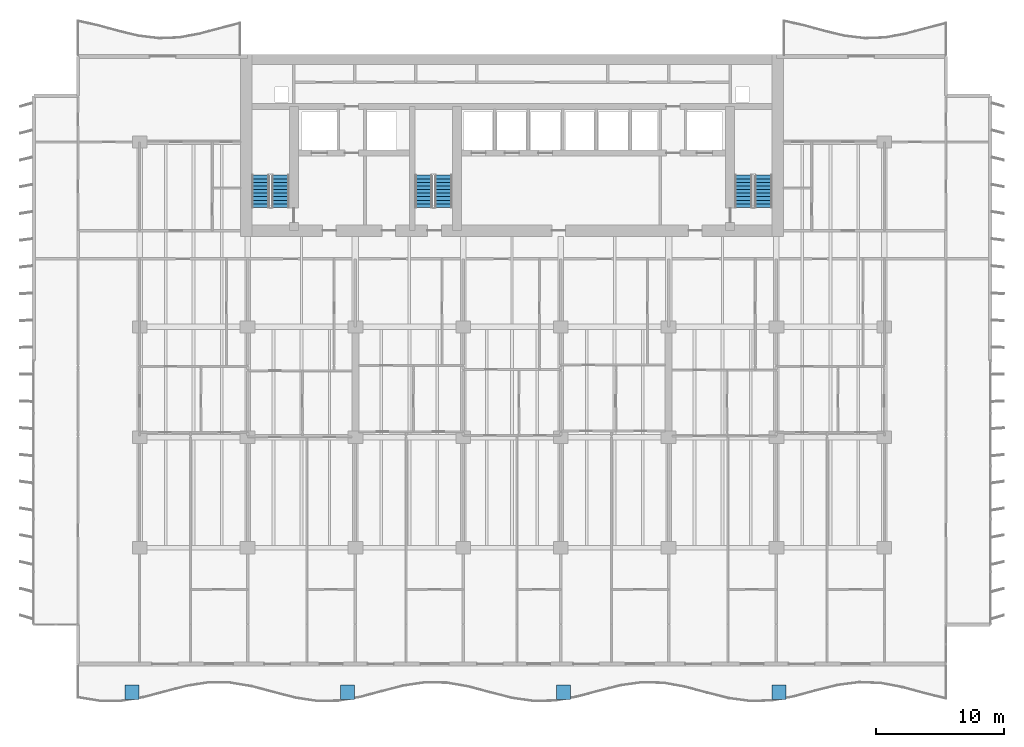
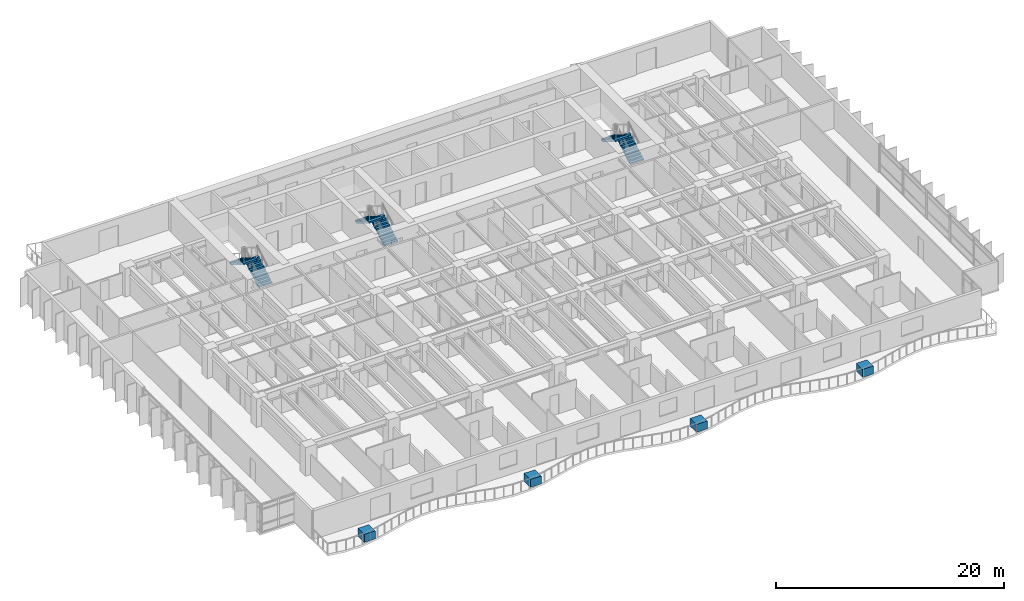
# One storey, part 15 of 19: 6 stair flights, 4 discrete accessories, 3 elements without a shape of their own.
"""IFC4 building model written with IfcOpenShell, lengths in metres."""

from ifc_helpers import new_model, si_unit, direction, frame, origin, origin_2d, place, context, subcontext, project, spatial, polyline, rectangle, outline, extrude, material, type_object, element, aggregate, save


model = new_model("IFC4")

# Units and contexts
model_context = context("Model", 3, precision=1e-05, world=origin(), true_north=direction((0.0, 1.0)))
body_context = subcontext(model_context, "Body", "Model", "MODEL_VIEW")
ifc_project = project(units=[si_unit("LENGTHUNIT", "METRE"), si_unit("AREAUNIT", "SQUARE_METRE"), si_unit("VOLUMEUNIT", "CUBIC_METRE"), si_unit("PLANEANGLEUNIT", "RADIAN"), si_unit("MASSUNIT", "GRAM", prefix="KILO")], contexts=[model_context])

# Site, building, storey
site_placement = place(None, origin())
site = spatial("IfcSite", under=ifc_project, at=site_placement, CompositionType="ELEMENT")
building_placement = place(site_placement, origin())
building = spatial("IfcBuilding", under=site, at=building_placement, Name="Caelmar Bay Residences", CompositionType="ELEMENT")
storey_placement = place(building_placement, frame((0.0, 0.0, 66.300048828125)))
storey = spatial("IfcBuildingStorey", under=building, at=storey_placement, Name="L17", CompositionType="ELEMENT", Elevation=66.300048828125)

# Stair, stair flights
ifc_material_1 = material(Name="Concrete f'c 40 MPa (6,000 psi)", Category="concrete")
stair_type = type_object("IfcStairType", Name="ST-TYP-165", PredefinedType="HALF_TURN_STAIR", material=ifc_material_1)
stair_1_placement = place(storey_placement, origin())
stair_1 = element("IfcStair", 1, at=stair_1_placement, inside=storey, type_object=stair_type, Name="L17 West Smokeproof Exit Stair ST1", PredefinedType="HALF_TURN_STAIR")
stair_flight_type = type_object("IfcStairFlightType", Name="STF-1350", PredefinedType="STRAIGHT", material=ifc_material_1)
stair_flight_1_placement = place(storey_placement, frame((20.875, 38.699951171875, 0.0), z_axis=(0.0, 0.0, 1.0), x_axis=(0.0, 1.0, 0.0)))
stair_flight_1 = element("IfcStairFlight", 2, at=stair_flight_1_placement, type_object=stair_flight_type, Name="ST1 flight 1", NumberOfRisers=10, NumberOfTreads=9, PredefinedType="STRAIGHT", RiserHeight=0.165, TreadLength=0.28, context=body_context, shape_type="SweptSolid", body=[
    extrude(outline(polyline([(0.0, 0.0), (0.0, 0.1650390625), (0.280029296875, 0.1650390625), (0.280029296875, 0.330078125), (0.56005859375, 0.330078125), (0.56005859375, 0.4951171875), (0.840087890625, 0.4951171875), (0.840087890625, 0.659912109375), (1.1201171875, 0.659912109375), (1.1201171875, 0.824951171875), (1.39990234375, 0.824951171875), (1.39990234375, 0.989990234375), (1.679931640625, 0.989990234375), (1.679931640625, 1.155029296875), (1.9599609375, 1.155029296875), (1.9599609375, 1.320068359375), (2.239990234375, 1.320068359375), (2.239990234375, 1.485107421875), (2.52001953125, 1.485107421875), (2.52001953125, 1.64990234375), (2.52001953125, 1.31103515625), (0.295166015625, 0.0), (0.0, 0.0)])), frame((0.0, 0.675048828125, 0.0), z_axis=(0.0, -1.0, 0.0), x_axis=(1.0, 0.0, 0.0)), (0.0, 0.0, 1.0), 1.35009765625),
])
stair_flight_2_placement = place(storey_placement, frame((19.324951171875, 41.219970703125, 1.64990234375), z_axis=(0.0, 0.0, 1.0), x_axis=(0.0, -1.0, 0.0)))
stair_flight_2 = element("IfcStairFlight", 3, at=stair_flight_2_placement, type_object=stair_flight_type, Name="ST1 flight 2", NumberOfRisers=10, NumberOfTreads=9, PredefinedType="STRAIGHT", RiserHeight=0.165, TreadLength=0.28, context=body_context, shape_type="SweptSolid", body=[
    extrude(outline(polyline([(0.0, 0.0), (0.0, 0.1650390625), (0.280029296875, 0.1650390625), (0.280029296875, 0.330078125), (0.56005859375, 0.330078125), (0.56005859375, 0.4951171875), (0.840087890625, 0.4951171875), (0.840087890625, 0.659912109375), (1.1201171875, 0.659912109375), (1.1201171875, 0.824951171875), (1.39990234375, 0.824951171875), (1.39990234375, 0.989990234375), (1.679931640625, 0.989990234375), (1.679931640625, 1.155029296875), (1.9599609375, 1.155029296875), (1.9599609375, 1.320068359375), (2.239990234375, 1.320068359375), (2.239990234375, 1.485107421875), (2.52001953125, 1.485107421875), (2.52001953125, 1.64990234375), (2.52001953125, 1.31103515625), (0.295166015625, 0.0), (0.0, 0.0)])), frame((0.0, 0.675048828125, 0.0), z_axis=(0.0, -1.0, 0.0), x_axis=(1.0, 0.0, 0.0)), (0.0, 0.0, 1.0), 1.35009765625),
])
aggregate(stair_1, [stair_flight_1, stair_flight_2])

stair_2_placement = place(storey_placement, origin())
stair_2 = element("IfcStair", 4, at=stair_2_placement, inside=storey, type_object=stair_type, Name="L17 East Smokeproof Exit Stair ST2", PredefinedType="HALF_TURN_STAIR")
stair_flight_3_placement = place(storey_placement, frame((58.47509765625, 38.699951171875, 0.0), z_axis=(0.0, 0.0, 1.0), x_axis=(0.0, 1.0, 0.0)))
stair_flight_3 = element("IfcStairFlight", 5, at=stair_flight_3_placement, type_object=stair_flight_type, Name="ST2 flight 1", NumberOfRisers=10, NumberOfTreads=9, PredefinedType="STRAIGHT", RiserHeight=0.165, TreadLength=0.28, context=body_context, shape_type="SweptSolid", body=[
    extrude(outline(polyline([(0.0, 0.0), (0.0, 0.1650390625), (0.280029296875, 0.1650390625), (0.280029296875, 0.330078125), (0.56005859375, 0.330078125), (0.56005859375, 0.4951171875), (0.840087890625, 0.4951171875), (0.840087890625, 0.659912109375), (1.1201171875, 0.659912109375), (1.1201171875, 0.824951171875), (1.39990234375, 0.824951171875), (1.39990234375, 0.989990234375), (1.679931640625, 0.989990234375), (1.679931640625, 1.155029296875), (1.9599609375, 1.155029296875), (1.9599609375, 1.320068359375), (2.239990234375, 1.320068359375), (2.239990234375, 1.485107421875), (2.52001953125, 1.485107421875), (2.52001953125, 1.64990234375), (2.52001953125, 1.31103515625), (0.295166015625, 0.0), (0.0, 0.0)])), frame((0.0, 0.675048828125, 0.0), z_axis=(0.0, -1.0, 0.0), x_axis=(1.0, 0.0, 0.0)), (0.0, 0.0, 1.0), 1.35009765625),
])
stair_flight_4_placement = place(storey_placement, frame((56.925048828125, 41.219970703125, 1.64990234375), z_axis=(0.0, 0.0, 1.0), x_axis=(0.0, -1.0, 0.0)))
stair_flight_4 = element("IfcStairFlight", 6, at=stair_flight_4_placement, type_object=stair_flight_type, Name="ST2 flight 2", NumberOfRisers=10, NumberOfTreads=9, PredefinedType="STRAIGHT", RiserHeight=0.165, TreadLength=0.28, context=body_context, shape_type="SweptSolid", body=[
    extrude(outline(polyline([(0.0, 0.0), (0.0, 0.1650390625), (0.280029296875, 0.1650390625), (0.280029296875, 0.330078125), (0.56005859375, 0.330078125), (0.56005859375, 0.4951171875), (0.840087890625, 0.4951171875), (0.840087890625, 0.659912109375), (1.1201171875, 0.659912109375), (1.1201171875, 0.824951171875), (1.39990234375, 0.824951171875), (1.39990234375, 0.989990234375), (1.679931640625, 0.989990234375), (1.679931640625, 1.155029296875), (1.9599609375, 1.155029296875), (1.9599609375, 1.320068359375), (2.239990234375, 1.320068359375), (2.239990234375, 1.485107421875), (2.52001953125, 1.485107421875), (2.52001953125, 1.64990234375), (2.52001953125, 1.31103515625), (0.295166015625, 0.0), (0.0, 0.0)])), frame((0.0, 0.675048828125, 0.0), z_axis=(0.0, -1.0, 0.0), x_axis=(1.0, 0.0, 0.0)), (0.0, 0.0, 1.0), 1.35009765625),
])
aggregate(stair_2, [stair_flight_3, stair_flight_4])

stair_3_placement = place(storey_placement, origin())
stair_3 = element("IfcStair", 7, at=stair_3_placement, inside=storey, type_object=stair_type, Name="L17 Central Smokeproof Exit Stair ST3", PredefinedType="HALF_TURN_STAIR")
stair_flight_5_placement = place(storey_placement, frame((33.574951171875, 38.699951171875, 0.0), z_axis=(0.0, 0.0, 1.0), x_axis=(0.0, 1.0, 0.0)))
stair_flight_5 = element("IfcStairFlight", 8, at=stair_flight_5_placement, type_object=stair_flight_type, Name="ST3 flight 1", NumberOfRisers=10, NumberOfTreads=9, PredefinedType="STRAIGHT", RiserHeight=0.165, TreadLength=0.28, context=body_context, shape_type="SweptSolid", body=[
    extrude(outline(polyline([(0.0, 0.0), (0.0, 0.1650390625), (0.280029296875, 0.1650390625), (0.280029296875, 0.330078125), (0.56005859375, 0.330078125), (0.56005859375, 0.4951171875), (0.840087890625, 0.4951171875), (0.840087890625, 0.659912109375), (1.1201171875, 0.659912109375), (1.1201171875, 0.824951171875), (1.39990234375, 0.824951171875), (1.39990234375, 0.989990234375), (1.679931640625, 0.989990234375), (1.679931640625, 1.155029296875), (1.9599609375, 1.155029296875), (1.9599609375, 1.320068359375), (2.239990234375, 1.320068359375), (2.239990234375, 1.485107421875), (2.52001953125, 1.485107421875), (2.52001953125, 1.64990234375), (2.52001953125, 1.31103515625), (0.295166015625, 0.0), (0.0, 0.0)])), frame((0.0, 0.675048828125, 0.0), z_axis=(0.0, -1.0, 0.0), x_axis=(1.0, 0.0, 0.0)), (0.0, 0.0, 1.0), 1.35009765625),
])
stair_flight_6_placement = place(storey_placement, frame((32.02490234375, 41.219970703125, 1.64990234375), z_axis=(0.0, 0.0, 1.0), x_axis=(0.0, -1.0, 0.0)))
stair_flight_6 = element("IfcStairFlight", 9, at=stair_flight_6_placement, type_object=stair_flight_type, Name="ST3 flight 2", NumberOfRisers=10, NumberOfTreads=9, PredefinedType="STRAIGHT", RiserHeight=0.165, TreadLength=0.28, context=body_context, shape_type="SweptSolid", body=[
    extrude(outline(polyline([(0.0, 0.0), (0.0, 0.1650390625), (0.280029296875, 0.1650390625), (0.280029296875, 0.330078125), (0.56005859375, 0.330078125), (0.56005859375, 0.4951171875), (0.840087890625, 0.4951171875), (0.840087890625, 0.659912109375), (1.1201171875, 0.659912109375), (1.1201171875, 0.824951171875), (1.39990234375, 0.824951171875), (1.39990234375, 0.989990234375), (1.679931640625, 0.989990234375), (1.679931640625, 1.155029296875), (1.9599609375, 1.155029296875), (1.9599609375, 1.320068359375), (2.239990234375, 1.320068359375), (2.239990234375, 1.485107421875), (2.52001953125, 1.485107421875), (2.52001953125, 1.64990234375), (2.52001953125, 1.31103515625), (0.295166015625, 0.0), (0.0, 0.0)])), frame((0.0, 0.675048828125, 0.0), z_axis=(0.0, -1.0, 0.0), x_axis=(1.0, 0.0, 0.0)), (0.0, 0.0, 1.0), 1.35009765625),
])
aggregate(stair_3, [stair_flight_5, stair_flight_6])

# Discrete accessories
ifc_material_2 = material(Name="Architectural bronze GRC planter trough with volcanic-lapilli substrate")
discrete_accessory_type = type_object("IfcDiscreteAccessoryType", Name="ACC-PLANTER-1100", PredefinedType="USERDEFINED", material=ifc_material_2)
for number, where, z_axis, x_axis, name in (
    (10, (9.300048828125, 0.943115234375, 0.0), (0.0, 0.0, 1.0), (1.0, 0.0, 0.0), "L17 Balcony Structural Tree Planter 1"),
    (11, (26.10009765625, 0.943115234375, 0.0), (0.0, 0.0, 1.0), (1.0, 0.0, 0.0), "L17 Balcony Structural Tree Planter 2"),
    (12, (42.89990234375, 0.943115234375, 0.0), (0.0, 0.0, 1.0), (1.0, 0.0, 0.0), "L17 Balcony Structural Tree Planter 3"),
    (13, (59.699951171875, 0.943115234375, 0.0), (0.0, 0.0, 1.0), (1.0, 0.0, 0.0), "L17 Balcony Structural Tree Planter 4"),
):
    element("IfcDiscreteAccessory", number, at=place(storey_placement, frame(where, z_axis=z_axis, x_axis=x_axis)), inside=storey, type_object=discrete_accessory_type, Name=name, ObjectType="PLANTER", PredefinedType="USERDEFINED", context=body_context, shape_type="SweptSolid", body=[
        extrude(rectangle(XDim=1.10009765625, YDim=1.10009765625, at=origin_2d()), origin(), (0.0, 0.0, 1.0), 0.85009765625),
    ])

save(model, "model.ifc")
